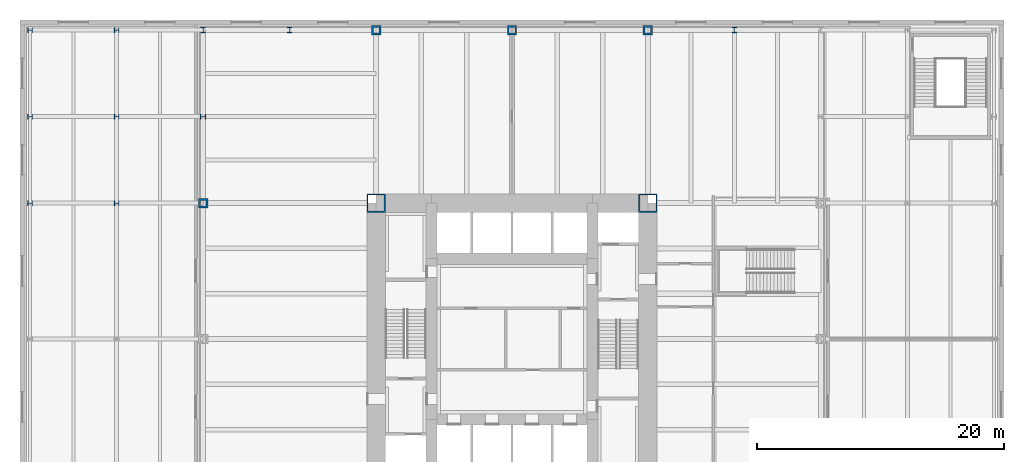
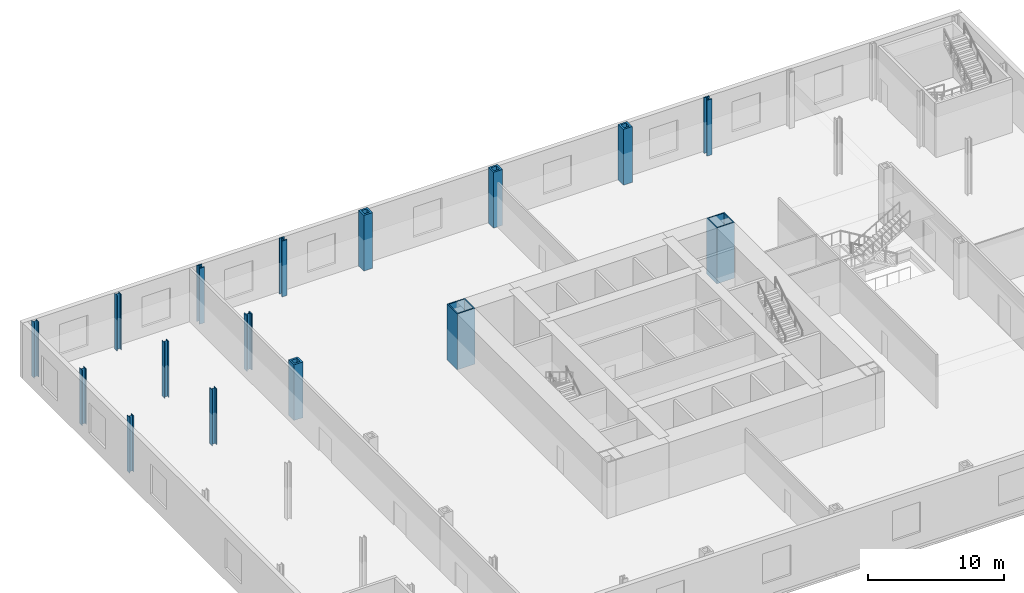
# One storey, part 3 of 13: 16 columns.
"""IFC4 building model written with IfcOpenShell, lengths in metres."""

from ifc_helpers import new_model, si_unit, direction, frame, origin, origin_2d, place, context, subcontext, project, spatial, hollow_rectangle, i_section, extrude, material, material_profile, profile_set, type_object, element, save


model = new_model("IFC4")

# Units and contexts
model_context = context("Model", 3, precision=1e-05, world=origin(), true_north=direction((0.0, 1.0)))
body_context = subcontext(model_context, "Body", "Model", "MODEL_VIEW")
ifc_project = project(units=[si_unit("LENGTHUNIT", "METRE"), si_unit("AREAUNIT", "SQUARE_METRE"), si_unit("VOLUMEUNIT", "CUBIC_METRE"), si_unit("PLANEANGLEUNIT", "RADIAN"), si_unit("MASSUNIT", "GRAM", prefix="KILO")], contexts=[model_context])

# Site, building, storey
site_placement = place(None, origin())
site = spatial("IfcSite", under=ifc_project, at=site_placement, CompositionType="ELEMENT")
building_placement = place(site_placement, origin())
building = spatial("IfcBuilding", under=site, at=building_placement, Name="Trevanion Tower", CompositionType="ELEMENT")
storey_placement = place(building_placement, frame((0.0, 0.0, 6.0)))
storey = spatial("IfcBuildingStorey", under=building, at=storey_placement, Name="L01", CompositionType="ELEMENT", Elevation=6.0)

# Columns
ifc_material_1 = material(Name="Steel ASTM A588 Grade 50", Category="steel")
ifc_material_profile_1 = material_profile(ifc_material_1, hollow_rectangle(XDim=0.761962890625, YDim=0.761962890625, WallThickness=0.15234375, at=origin_2d()), Name="BOX30X30X6")
ifc_profile_set_1 = profile_set([ifc_material_profile_1], Name="Steel ASTM A588 Grade 50")
column_type_1 = type_object("IfcColumnType", Name="C1 BOX30X30X6", PredefinedType="COLUMN", material=ifc_profile_set_1)
for number, where, z_axis, x_axis, name in (
    (1, (11.0, 25.0, 0.0), (0.0, 0.0, 1.0), (1.0, 0.0, 0.0), "C1 12/Q L01"),
    (2, (0.0, 25.0, 0.0), (0.0, 0.0, 1.0), (1.0, 0.0, 0.0), "C1 10/Q L01"),
    (3, (-11.0, 25.0, 0.0), (0.0, 0.0, 1.0), (1.0, 0.0, 0.0), "C1 8/Q L01"),
    (4, (-25.0, 11.0, 0.0), (0.0, 0.0, 1.0), (0.0, 1.0, 0.0), "C1 3/K L01"),
):
    element("IfcColumn", number, at=place(storey_placement, frame(where, z_axis=z_axis, x_axis=x_axis)), inside=storey, type_object=column_type_1, Name=name, PredefinedType="COLUMN", context=body_context, shape_type="SweptSolid", body=[
        extrude(hollow_rectangle(XDim=0.761962890625, YDim=0.761962890625, WallThickness=0.15234375, at=origin_2d()), origin(), (0.0, 0.0, 1.0), 5.0),
    ])
ifc_material_2 = material(Name="Steel ASTM A913 Grade 65", Category="steel")
ifc_material_profile_2 = material_profile(ifc_material_2, i_section(OverallWidth=0.4267578125, OverallDepth=0.482666015625, WebThickness=0.05126953125, FlangeThickness=0.08154296875, at=origin_2d()), Name="W14X455")
ifc_profile_set_2 = profile_set([ifc_material_profile_2], Name="Steel ASTM A913 Grade 65")
column_type_2 = type_object("IfcColumnType", Name="C2 W14X455", PredefinedType="COLUMN", material=ifc_profile_set_2)
for number, where, z_axis, x_axis, name in (
    (5, (18.0, 25.0, 0.0), (0.0, 0.0, 1.0), (1.0, 0.0, 0.0), "C2 14/Q L01"),
    (6, (-18.0, 25.0, 0.0), (0.0, 0.0, 1.0), (1.0, 0.0, 0.0), "C2 6/Q L01"),
    (7, (-25.0, 25.0, 0.0), (0.0, 0.0, 1.0), (1.0, 0.0, 0.0), "C2 3/Q L01"),
    (8, (-25.0, 18.0, 0.0), (0.0, 0.0, 1.0), (0.0, 1.0, 0.0), "C2 3/M L01"),
):
    element("IfcColumn", number, at=place(storey_placement, frame(where, z_axis=z_axis, x_axis=x_axis)), inside=storey, type_object=column_type_2, Name=name, PredefinedType="COLUMN", context=body_context, shape_type="SweptSolid", body=[
        extrude(i_section(OverallWidth=0.4267578125, OverallDepth=0.482666015625, WebThickness=0.05126953125, FlangeThickness=0.08154296875, at=origin_2d()), origin(), (0.0, 0.0, 1.0), 5.0),
    ])
ifc_material_3 = material(Name="Steel ASTM A913 Grade 65", Category="steel")
ifc_material_profile_3 = material_profile(ifc_material_3, i_section(OverallWidth=0.393798828125, OverallDepth=0.3759765625, WebThickness=0.017333984375, FlangeThickness=0.027587890625, at=origin_2d()), Name="W14X145")
ifc_profile_set_3 = profile_set([ifc_material_profile_3], Name="Steel ASTM A913 Grade 65")
column_type_3 = type_object("IfcColumnType", Name="C3 W14X145", PredefinedType="COLUMN", material=ifc_profile_set_3)
for number, where, z_axis, x_axis, name in (
    (9, (-39.0, 11.0, 0.0), (0.0, 0.0, 1.0), (0.0, 1.0, 0.0), "C3 1/K L01"),
    (10, (-39.0, 18.0, 0.0), (0.0, 0.0, 1.0), (0.0, 1.0, 0.0), "C3 1/M L01"),
    (11, (-39.0, 25.0, 0.0), (0.0, 0.0, 1.0), (0.0, 1.0, 0.0), "C3 1/Q L01"),
    (12, (-32.0, 11.0, 0.0), (0.0, 0.0, 1.0), (0.0, 1.0, 0.0), "C3 2/K L01"),
    (13, (-32.0, 18.0, 0.0), (0.0, 0.0, 1.0), (0.0, 1.0, 0.0), "C3 2/M L01"),
    (14, (-32.0, 25.0, 0.0), (0.0, 0.0, 1.0), (0.0, 1.0, 0.0), "C3 2/Q L01"),
):
    element("IfcColumn", number, at=place(storey_placement, frame(where, z_axis=z_axis, x_axis=x_axis)), inside=storey, type_object=column_type_3, Name=name, PredefinedType="COLUMN", context=body_context, shape_type="SweptSolid", body=[
        extrude(i_section(OverallWidth=0.393798828125, OverallDepth=0.3759765625, WebThickness=0.017333984375, FlangeThickness=0.027587890625, at=origin_2d()), origin(), (0.0, 0.0, 1.0), 5.0),
    ])
ifc_material_4 = material(Name="Steel ASTM A572 Grade 50", Category="steel")
ifc_material_profile_4 = material_profile(ifc_material_4, hollow_rectangle(XDim=1.49853515625, YDim=1.49853515625, WallThickness=0.1015625, at=origin_2d()), Name="BOX59X59X4")
ifc_profile_set_4 = profile_set([ifc_material_profile_4], Name="Steel ASTM A572 Grade 50")
column_type_4 = type_object("IfcColumnType", Name="CB1 BOX59X59X4", PredefinedType="COLUMN", material=ifc_profile_set_4)
for number, where, z_axis, x_axis, name in (
    (15, (11.0, 11.0, 0.0), (0.0, 0.0, 1.0), (1.0, 0.0, 0.0), "CB1 NE L01"),
    (16, (-11.0, 11.0, 0.0), (0.0, 0.0, 1.0), (1.0, 0.0, 0.0), "CB1 NW L01"),
):
    element("IfcColumn", number, at=place(storey_placement, frame(where, z_axis=z_axis, x_axis=x_axis)), inside=storey, type_object=column_type_4, Name=name, PredefinedType="COLUMN", context=body_context, shape_type="SweptSolid", body=[
        extrude(hollow_rectangle(XDim=1.49853515625, YDim=1.49853515625, WallThickness=0.1015625, at=origin_2d()), origin(), (0.0, 0.0, 1.0), 5.0),
    ])

save(model, "model.ifc")
